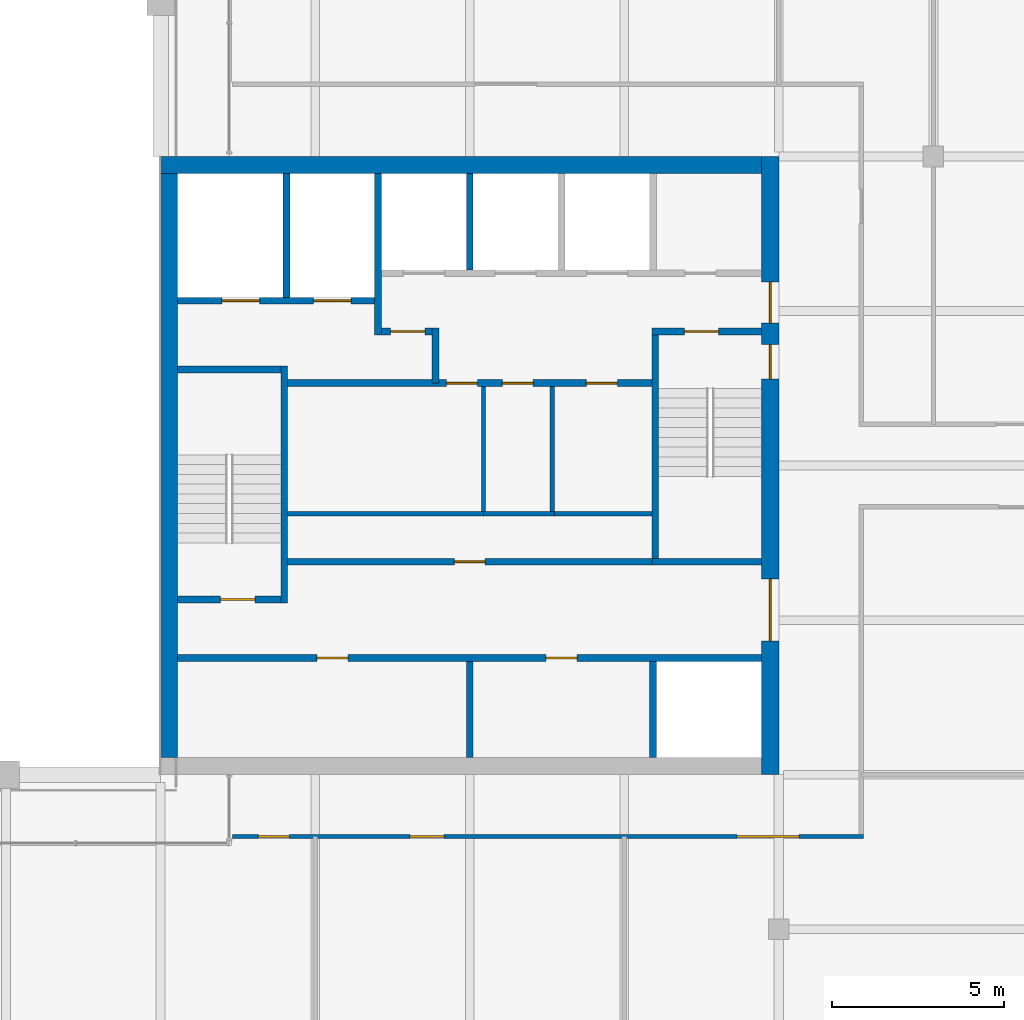
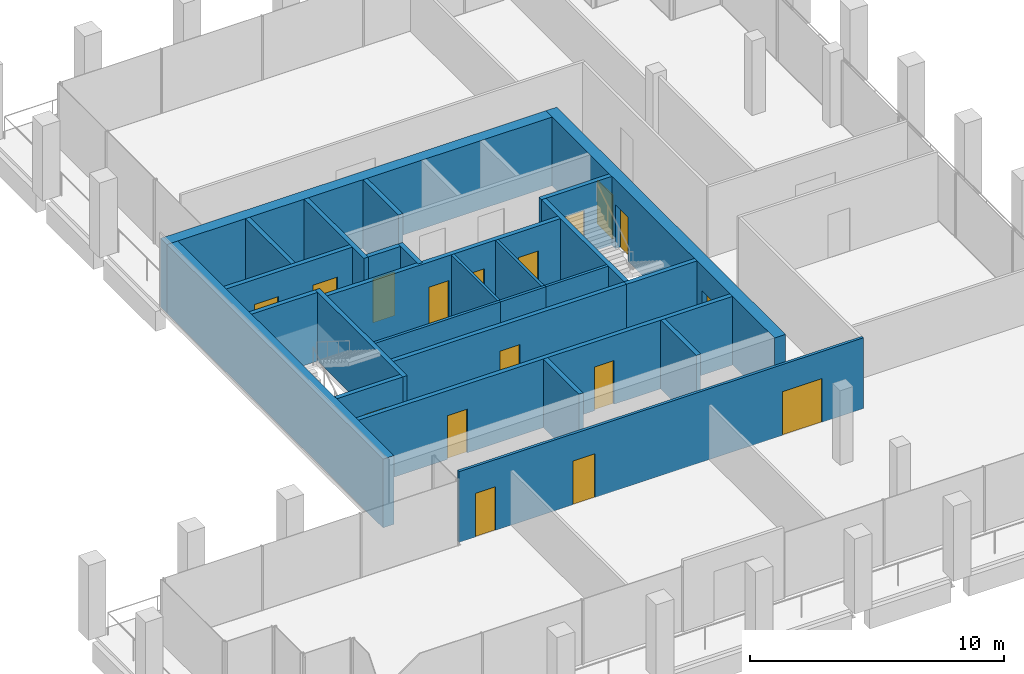
# One storey, part 28 of 30: 26 walls, 17 doors, 17 openings.
"""IFC4 building model written with IfcOpenShell, lengths in metres."""

from ifc_helpers import new_model, si_unit, direction, frame, frame_2d, origin, place, context, subcontext, project, spatial, rectangle, extrude, material, layer, layer_set, type_object, element, fill, save


model = new_model("IFC4")

# Units and contexts
model_context = context("Model", 3, precision=1e-05, world=origin(), true_north=direction((0.0, 1.0)))
body_context = subcontext(model_context, "Body", "Model", "MODEL_VIEW")
ifc_project = project(units=[si_unit("LENGTHUNIT", "METRE"), si_unit("AREAUNIT", "SQUARE_METRE"), si_unit("VOLUMEUNIT", "CUBIC_METRE"), si_unit("PLANEANGLEUNIT", "RADIAN"), si_unit("MASSUNIT", "GRAM", prefix="KILO")], contexts=[model_context])

# Site, building, storey
site_placement = place(None, origin())
site = spatial("IfcSite", under=ifc_project, at=site_placement, CompositionType="ELEMENT")
building_placement = place(site_placement, origin())
building = spatial("IfcBuilding", under=site, at=building_placement, Name="Altepetl Exchange Towers", CompositionType="ELEMENT")
storey_placement = place(building_placement, frame((0.0, 0.0, 242.39990234375)))
storey = spatial("IfcBuildingStorey", under=building, at=storey_placement, Name="L62", CompositionType="ELEMENT", Elevation=242.39990234375)

# Wall, openings, doors
ifc_material_1 = material(Name="Concrete C70/85", Category="concrete")
ifc_layer_1 = layer(ifc_material_1, 0.5)
ifc_layer_set_1 = layer_set([ifc_layer_1], Name="Concrete C70/85")
wall_type_1 = type_object("IfcWallType", Name="Core wall 500 reinforced concrete", PredefinedType="SHEAR", material=ifc_layer_set_1)
wall_1_placement = place(storey_placement, frame((58.25, 40.5, 0.0), z_axis=(0.0, 0.0, 1.0), x_axis=(0.0, 1.0, 0.0)))
wall_1 = element("IfcWall", 1, at=wall_1_placement, inside=storey, type_object=wall_type_1, Name="wall:A:L62:K-coreE", PredefinedType="SHEAR", context=body_context, shape_type="SweptSolid", body=[
    extrude(rectangle(XDim=18.0, YDim=0.5, at=frame_2d((9.0, 0.0))), origin(), (0.0, 0.0, 1.0), 3.300048828125),
])
opening_1_placement = place(wall_1_placement, frame((13.14990234375, 0.0, 0.0)))
opening_1 = element("IfcOpeningElement", 2, at=opening_1_placement, cuts=wall_1, Name="Opening L62.A60", PredefinedType="OPENING", context=body_context, shape_type="SweptSolid", body=[
    extrude(rectangle(XDim=1.199951171875, YDim=2.10009765625, at=frame_2d((0.60009765625, 1.050048828125))), frame((0.0, 0.260009765625, 0.0), z_axis=(0.0, -1.0, 0.0), x_axis=(1.0, 0.0, 0.0)), (0.0, 0.0, 1.0), 0.52001953125),
])
opening_2_placement = place(wall_1_placement, frame((3.89990234375, 0.0, 0.0)))
opening_2 = element("IfcOpeningElement", 3, at=opening_2_placement, cuts=wall_1, Name="Opening L62.A61", PredefinedType="OPENING", context=body_context, shape_type="SweptSolid", body=[
    extrude(rectangle(XDim=1.800048828125, YDim=2.10009765625, at=frame_2d((0.89990234375, 1.050048828125))), frame((0.0, 0.260009765625, 0.0), z_axis=(0.0, -1.0, 0.0), x_axis=(1.0, 0.0, 0.0)), (0.0, 0.0, 1.0), 0.52001953125),
])
opening_3_placement = place(wall_1_placement, frame((11.52490234375, 0.0, 0.0)))
opening_3 = element("IfcOpeningElement", 4, at=opening_3_placement, cuts=wall_1, Name="Opening L62.A64", PredefinedType="OPENING", context=body_context, shape_type="SweptSolid", body=[
    extrude(rectangle(XDim=1.0, YDim=2.10009765625, at=frame_2d((0.5, 1.050048828125))), frame((0.0, 0.260009765625, 0.0), z_axis=(0.0, -1.0, 0.0), x_axis=(1.0, 0.0, 0.0)), (0.0, 0.0, 1.0), 0.52001953125),
])
ifc_material_2 = material(Name="Steel and timber fire door", Category="steel")
door_type_1 = type_object("IfcDoorType", Name="Fire door 1000 x 2100 stair and lobby", OperationType="SINGLE_SWING_LEFT", PredefinedType="DOOR", material=ifc_material_2)
door_1_placement = place(opening_3_placement, origin())
door_1 = element("IfcDoor", 5, at=door_1_placement, inside=storey, type_object=door_type_1, Name="door:A:L62:K-dS2x", OperationType="SINGLE_SWING_RIGHT", OverallHeight=2.10009765625, OverallWidth=1.0, PredefinedType="DOOR", context=body_context, shape_type="SweptSolid", body=[
    extrude(rectangle(XDim=1.0, YDim=2.10009765625, at=frame_2d((0.5, 1.050048828125))), frame((0.0, 0.02490234375, 0.0), z_axis=(0.0, -1.0, 0.0), x_axis=(1.0, 0.0, 0.0)), (0.0, 0.0, 1.0), 0.050048828125),
])
fill(opening_3, door_1)
door_type_2 = type_object("IfcDoorType", Name="Fire door 1200 x 2100 lobby entry", OperationType="SINGLE_SWING_LEFT", PredefinedType="DOOR", material=ifc_material_2)
door_2_placement = place(opening_1_placement, origin())
door_2 = element("IfcDoor", 6, at=door_2_placement, inside=storey, type_object=door_type_2, Name="door:A:L62:K-dLNE", OperationType="SINGLE_SWING_RIGHT", OverallHeight=2.10009765625, OverallWidth=1.199951171875, PredefinedType="DOOR", context=body_context, shape_type="SweptSolid", body=[
    extrude(rectangle(XDim=1.199951171875, YDim=2.10009765625, at=frame_2d((0.60009765625, 1.050048828125))), frame((0.0, 0.02490234375, 0.0), z_axis=(0.0, -1.0, 0.0), x_axis=(1.0, 0.0, 0.0)), (0.0, 0.0, 1.0), 0.050048828125),
])
fill(opening_1, door_2)
door_type_3 = type_object("IfcDoorType", Name="Fire door 1800 x 2100 lobby entry", OperationType="DOUBLE_DOOR_SINGLE_SWING", PredefinedType="DOOR", material=ifc_material_2)
door_3_placement = place(opening_2_placement, origin())
door_3 = element("IfcDoor", 7, at=door_3_placement, inside=storey, type_object=door_type_3, Name="door:A:L62:K-dLSE", OperationType="DOUBLE_DOOR_SINGLE_SWING", OverallHeight=2.10009765625, OverallWidth=1.800048828125, PredefinedType="DOOR", context=body_context, shape_type="SweptSolid", body=[
    extrude(rectangle(XDim=1.800048828125, YDim=2.10009765625, at=frame_2d((0.89990234375, 1.050048828125))), frame((0.0, 0.02490234375, 0.0), z_axis=(0.0, -1.0, 0.0), x_axis=(1.0, 0.0, 0.0)), (0.0, 0.0, 1.0), 0.050048828125),
])
fill(opening_2, door_3)

# Walls
wall_2_placement = place(storey_placement, frame((40.5, 58.25, 0.0)))
element("IfcWall", 8, at=wall_2_placement, inside=storey, type_object=wall_type_1, Name="wall:A:L62:K-coreN", PredefinedType="SHEAR", context=body_context, shape_type="SweptSolid", body=[
    extrude(rectangle(XDim=17.5, YDim=0.5, at=frame_2d((8.75, 0.0))), origin(), (0.0, 0.0, 1.0), 3.300048828125),
])
ifc_layer_2 = layer(ifc_material_1, 0.5)
ifc_layer_set_2 = layer_set([ifc_layer_2], Name="Concrete C70/85")
wall_type_2 = type_object("IfcWallType", Name="Core wall 500 reinforced concrete external", PredefinedType="SHEAR", material=ifc_layer_set_2)
wall_3_placement = place(storey_placement, frame((40.75, 41.0, 0.0), z_axis=(0.0, 0.0, 1.0), x_axis=(0.0, 1.0, 0.0)))
element("IfcWall", 9, at=wall_3_placement, inside=storey, type_object=wall_type_2, Name="wall:A:L62:K-coreW", PredefinedType="SHEAR", context=body_context, shape_type="SweptSolid", body=[
    extrude(rectangle(XDim=17.0, YDim=0.5, at=frame_2d((8.5, 0.0))), origin(), (0.0, 0.0, 1.0), 3.300048828125),
])
ifc_material_3 = material(Name="Concrete blockwork", Category="masonry")
ifc_layer_3 = layer(ifc_material_3, 0.199951171875)
ifc_layer_set_3 = layer_set([ifc_layer_3], Name="Concrete blockwork")
wall_type_3 = type_object("IfcWallType", Name="Lobby wall 200 blockwork", PredefinedType="PARTITIONING", material=ifc_layer_set_3)
wall_4_placement = place(storey_placement, frame((48.5, 51.89990234375, 0.0), z_axis=(0.0, 0.0, 1.0), x_axis=(0.0, 1.0, 0.0)))
element("IfcWall", 10, at=wall_4_placement, inside=storey, type_object=wall_type_3, Name="wall:A:L62:K-ffE", PredefinedType="PARTITIONING", context=body_context, shape_type="SweptSolid", body=[
    extrude(rectangle(XDim=1.60009765625, YDim=0.199951171875, at=frame_2d((0.800048828125, 0.0))), origin(), (0.0, 0.0, 1.0), 3.300048828125),
])

# Wall, opening, door
wall_5_placement = place(storey_placement, frame((46.933349609375, 53.39990234375, 0.0)))
wall_5 = element("IfcWall", 11, at=wall_5_placement, inside=storey, type_object=wall_type_3, Name="wall:A:L62:K-ffN", PredefinedType="PARTITIONING", context=body_context, shape_type="SweptSolid", body=[
    extrude(rectangle(XDim=1.466552734375, YDim=0.199951171875, at=frame_2d((0.7333984375, 0.0))), origin(), (0.0, 0.0, 1.0), 3.300048828125),
])
opening_4_placement = place(wall_5_placement, frame((0.2666015625, 0.0, 0.0)))
opening_4 = element("IfcOpeningElement", 12, at=opening_4_placement, cuts=wall_5, Name="Opening L62.A65", PredefinedType="OPENING", context=body_context, shape_type="SweptSolid", body=[
    extrude(rectangle(XDim=1.0, YDim=2.10009765625, at=frame_2d((0.5, 1.050048828125))), frame((0.0, 0.10986328125, 0.0), z_axis=(0.0, -1.0, 0.0), x_axis=(1.0, 0.0, 0.0)), (0.0, 0.0, 1.0), 0.219970703125),
])
door_4_placement = place(opening_4_placement, frame((1.0, 0.0, 0.0), x_axis=(-1.0, 0.0, 0.0)))
door_4 = element("IfcDoor", 13, at=door_4_placement, inside=storey, type_object=door_type_1, Name="door:A:L62:K-dffN", OperationType="SINGLE_SWING_RIGHT", OverallHeight=2.10009765625, OverallWidth=1.0, PredefinedType="DOOR", context=body_context, shape_type="SweptSolid", body=[
    extrude(rectangle(XDim=1.0, YDim=2.10009765625, at=frame_2d((0.5, 1.050048828125))), frame((0.0, 0.02490234375, 0.0), z_axis=(0.0, -1.0, 0.0), x_axis=(1.0, 0.0, 0.0)), (0.0, 0.0, 1.0), 0.050048828125),
])
fill(opening_4, door_4)

# Wall, openings, doors
wall_6_placement = place(storey_placement, frame((44.199951171875, 51.89990234375, 0.0)))
wall_6 = element("IfcWall", 14, at=wall_6_placement, inside=storey, type_object=wall_type_3, Name="wall:A:L62:K-zoneN", PredefinedType="PARTITIONING", context=body_context, shape_type="SweptSolid", body=[
    extrude(rectangle(XDim=10.60009765625, YDim=0.199951171875, at=frame_2d((5.300048828125, 0.0))), origin(), (0.0, 0.0, 1.0), 3.300048828125),
])
opening_5_placement = place(wall_6_placement, frame((4.625, 0.0, 0.0)))
opening_5 = element("IfcOpeningElement", 15, at=opening_5_placement, cuts=wall_6, Name="Opening L62.A70", PredefinedType="OPENING", context=body_context, shape_type="SweptSolid", body=[
    extrude(rectangle(XDim=0.89990234375, YDim=2.10009765625, at=frame_2d((0.449951171875, 1.050048828125))), frame((0.0, 0.10986328125, 0.0), z_axis=(0.0, -1.0, 0.0), x_axis=(1.0, 0.0, 0.0)), (0.0, 0.0, 1.0), 0.219970703125),
])
opening_6_placement = place(wall_6_placement, frame((6.25, 0.0, 0.0)))
opening_6 = element("IfcOpeningElement", 16, at=opening_6_placement, cuts=wall_6, Name="Opening L62.A71", PredefinedType="OPENING", context=body_context, shape_type="SweptSolid", body=[
    extrude(rectangle(XDim=0.89990234375, YDim=2.10009765625, at=frame_2d((0.449951171875, 1.050048828125))), frame((0.0, 0.10986328125, 0.0), z_axis=(0.0, -1.0, 0.0), x_axis=(1.0, 0.0, 0.0)), (0.0, 0.0, 1.0), 0.219970703125),
])
opening_7_placement = place(wall_6_placement, frame((8.699951171875, 0.0, 0.0)))
opening_7 = element("IfcOpeningElement", 17, at=opening_7_placement, cuts=wall_6, Name="Opening L62.A72", PredefinedType="OPENING", context=body_context, shape_type="SweptSolid", body=[
    extrude(rectangle(XDim=0.89990234375, YDim=2.10009765625, at=frame_2d((0.449951171875, 1.050048828125))), frame((0.0, 0.10986328125, 0.0), z_axis=(0.0, -1.0, 0.0), x_axis=(1.0, 0.0, 0.0)), (0.0, 0.0, 1.0), 0.219970703125),
])
door_type_4 = type_object("IfcDoorType", Name="Fire door 900 x 2100 service room", OperationType="SINGLE_SWING_LEFT", PredefinedType="DOOR", material=ifc_material_2)
door_5_placement = place(opening_5_placement, frame((0.89990234375, 0.0, 0.0), x_axis=(-1.0, 0.0, 0.0)))
door_5 = element("IfcDoor", 18, at=door_5_placement, inside=storey, type_object=door_type_4, Name="door:A:L62:K-dz2", OperationType="SINGLE_SWING_RIGHT", OverallHeight=2.10009765625, OverallWidth=0.89990234375, PredefinedType="DOOR", context=body_context, shape_type="SweptSolid", body=[
    extrude(rectangle(XDim=0.89990234375, YDim=2.10009765625, at=frame_2d((0.449951171875, 1.050048828125))), frame((0.0, 0.02490234375, 0.0), z_axis=(0.0, -1.0, 0.0), x_axis=(1.0, 0.0, 0.0)), (0.0, 0.0, 1.0), 0.050048828125),
])
fill(opening_5, door_5)
door_6_placement = place(opening_6_placement, frame((0.89990234375, 0.0, 0.0), x_axis=(-1.0, 0.0, 0.0)))
door_6 = element("IfcDoor", 19, at=door_6_placement, inside=storey, type_object=door_type_4, Name="door:A:L62:K-dz3", OperationType="SINGLE_SWING_LEFT", OverallHeight=2.10009765625, OverallWidth=0.89990234375, PredefinedType="DOOR", context=body_context, shape_type="SweptSolid", body=[
    extrude(rectangle(XDim=0.89990234375, YDim=2.10009765625, at=frame_2d((0.449951171875, 1.050048828125))), frame((0.0, 0.02490234375, 0.0), z_axis=(0.0, -1.0, 0.0), x_axis=(1.0, 0.0, 0.0)), (0.0, 0.0, 1.0), 0.050048828125),
])
fill(opening_6, door_6)
door_7_placement = place(opening_7_placement, frame((0.89990234375, 0.0, 0.0), x_axis=(-1.0, 0.0, 0.0)))
door_7 = element("IfcDoor", 20, at=door_7_placement, inside=storey, type_object=door_type_4, Name="door:A:L62:K-dz4", OperationType="SINGLE_SWING_LEFT", OverallHeight=2.10009765625, OverallWidth=0.89990234375, PredefinedType="DOOR", context=body_context, shape_type="SweptSolid", body=[
    extrude(rectangle(XDim=0.89990234375, YDim=2.10009765625, at=frame_2d((0.449951171875, 1.050048828125))), frame((0.0, 0.02490234375, 0.0), z_axis=(0.0, -1.0, 0.0), x_axis=(1.0, 0.0, 0.0)), (0.0, 0.0, 1.0), 0.050048828125),
])
fill(opening_7, door_7)

# Wall, opening, door
wall_7_placement = place(storey_placement, frame((44.199951171875, 46.699951171875, 0.0)))
wall_7 = element("IfcWall", 21, at=wall_7_placement, inside=storey, type_object=wall_type_3, Name="wall:A:L62:K-zoneS", PredefinedType="PARTITIONING", context=body_context, shape_type="SweptSolid", body=[
    extrude(rectangle(XDim=10.60009765625, YDim=0.199951171875, at=frame_2d((5.300048828125, 0.0))), origin(), (0.0, 0.0, 1.0), 3.300048828125),
])
opening_8_placement = place(wall_7_placement, frame((4.85009765625, 0.0, 0.0)))
opening_8 = element("IfcOpeningElement", 22, at=opening_8_placement, cuts=wall_7, Name="Opening L62.A69", PredefinedType="OPENING", context=body_context, shape_type="SweptSolid", body=[
    extrude(rectangle(XDim=0.89990234375, YDim=2.10009765625, at=frame_2d((0.449951171875, 1.050048828125))), frame((0.0, 0.10986328125, 0.0), z_axis=(0.0, -1.0, 0.0), x_axis=(1.0, 0.0, 0.0)), (0.0, 0.0, 1.0), 0.219970703125),
])
door_8_placement = place(opening_8_placement, origin())
door_8 = element("IfcDoor", 23, at=door_8_placement, inside=storey, type_object=door_type_4, Name="door:A:L62:K-dz1", OperationType="SINGLE_SWING_LEFT", OverallHeight=2.10009765625, OverallWidth=0.89990234375, PredefinedType="DOOR", context=body_context, shape_type="SweptSolid", body=[
    extrude(rectangle(XDim=0.89990234375, YDim=2.10009765625, at=frame_2d((0.449951171875, 1.050048828125))), frame((0.0, 0.02490234375, 0.0), z_axis=(0.0, -1.0, 0.0), x_axis=(1.0, 0.0, 0.0)), (0.0, 0.0, 1.0), 0.050048828125),
])
fill(opening_8, door_8)

# Walls
ifc_material_4 = material(Name="Gypsum board on steel studs", Category="steel")
ifc_layer_4 = layer(ifc_material_4, 0.125)
ifc_layer_set_4 = layer_set([ifc_layer_4], Name="Gypsum board on steel studs")
wall_type_4 = type_object("IfcWallType", Name="Partition 125 gypsum board on steel studs", PredefinedType="PARTITIONING", material=ifc_layer_set_4)
wall_8_placement = place(storey_placement, frame((49.96240234375, 48.10009765625, 0.0), z_axis=(0.0, 0.0, 1.0), x_axis=(-1.0, 0.0, 0.0)))
element("IfcWall", 24, at=wall_8_placement, inside=storey, type_object=wall_type_4, Name="wall:A:L62:K-zp1", PredefinedType="PARTITIONING", context=body_context, shape_type="SweptSolid", body=[
    extrude(rectangle(XDim=5.762451171875, YDim=0.125, at=frame_2d((2.88134765625, 0.0))), origin(), (0.0, 0.0, 1.0), 3.300048828125),
])
wall_9_placement = place(storey_placement, frame((51.96240234375, 48.10009765625, 0.0), z_axis=(0.0, 0.0, 1.0), x_axis=(-1.0, 0.0, 0.0)))
element("IfcWall", 25, at=wall_9_placement, inside=storey, type_object=wall_type_4, Name="wall:A:L62:K-zp2", PredefinedType="PARTITIONING", context=body_context, shape_type="SweptSolid", body=[
    extrude(rectangle(XDim=2.0625, YDim=0.125, at=frame_2d((1.03125, 0.0))), origin(), (0.0, 0.0, 1.0), 3.300048828125),
])
wall_10_placement = place(storey_placement, frame((49.89990234375, 48.16259765625, 0.0), z_axis=(0.0, 0.0, 1.0), x_axis=(0.0, 1.0, 0.0)))
element("IfcWall", 26, at=wall_10_placement, inside=storey, type_object=wall_type_4, Name="wall:A:L62:K-zp3", PredefinedType="PARTITIONING", context=body_context, shape_type="SweptSolid", body=[
    extrude(rectangle(XDim=3.637451171875, YDim=0.125, at=frame_2d((1.81884765625, 0.0))), origin(), (0.0, 0.0, 1.0), 3.300048828125),
])
wall_11_placement = place(storey_placement, frame((54.800048828125, 48.10009765625, 0.0), z_axis=(0.0, 0.0, 1.0), x_axis=(-1.0, 0.0, 0.0)))
element("IfcWall", 27, at=wall_11_placement, inside=storey, type_object=wall_type_4, Name="wall:A:L62:K-zp4", PredefinedType="PARTITIONING", context=body_context, shape_type="SweptSolid", body=[
    extrude(rectangle(XDim=2.900146484375, YDim=0.125, at=frame_2d((1.4501953125, 0.0))), origin(), (0.0, 0.0, 1.0), 3.300048828125),
])
wall_12_placement = place(storey_placement, frame((51.89990234375, 48.16259765625, 0.0), z_axis=(0.0, 0.0, 1.0), x_axis=(0.0, 1.0, 0.0)))
element("IfcWall", 28, at=wall_12_placement, inside=storey, type_object=wall_type_4, Name="wall:A:L62:K-zp5", PredefinedType="PARTITIONING", context=body_context, shape_type="SweptSolid", body=[
    extrude(rectangle(XDim=3.637451171875, YDim=0.125, at=frame_2d((1.81884765625, 0.0))), origin(), (0.0, 0.0, 1.0), 3.300048828125),
])

# Wall, openings, doors
wall_13_placement = place(storey_placement, frame((42.60009765625, 38.699951171875, 0.0)))
wall_13 = element("IfcWall", 29, at=wall_13_placement, inside=storey, type_object=wall_type_4, Name="wall:A:L62:P01", PredefinedType="PARTITIONING", context=body_context, shape_type="SweptSolid", body=[
    extrude(rectangle(XDim=18.3623046875, YDim=0.125, at=frame_2d((9.18115234375, 0.0))), origin(), (0.0, 0.0, 1.0), 3.400146484375),
])
opening_9_placement = place(wall_13_placement, frame((0.75, 0.0, 0.0)))
opening_9 = element("IfcOpeningElement", 30, at=opening_9_placement, cuts=wall_13, Name="Opening L62.A01", PredefinedType="OPENING", context=body_context, shape_type="SweptSolid", body=[
    extrude(rectangle(XDim=0.89990234375, YDim=2.10009765625, at=frame_2d((0.449951171875, 1.050048828125))), frame((0.0, 0.072509765625, 0.0), z_axis=(0.0, -1.0, 0.0), x_axis=(1.0, 0.0, 0.0)), (0.0, 0.0, 1.0), 0.14501953125),
])
opening_10_placement = place(wall_13_placement, frame((5.157958984375, 0.0, 0.0)))
opening_10 = element("IfcOpeningElement", 31, at=opening_10_placement, cuts=wall_13, Name="Opening L62.A02", PredefinedType="OPENING", context=body_context, shape_type="SweptSolid", body=[
    extrude(rectangle(XDim=1.0, YDim=2.10009765625, at=frame_2d((0.5, 1.050048828125))), frame((0.0, 0.072509765625, 0.0), z_axis=(0.0, -1.0, 0.0), x_axis=(1.0, 0.0, 0.0)), (0.0, 0.0, 1.0), 0.14501953125),
])
opening_11_placement = place(wall_13_placement, frame((14.68505859375, 0.0, 0.0)))
opening_11 = element("IfcOpeningElement", 32, at=opening_11_placement, cuts=wall_13, Name="Opening L62.A03", PredefinedType="OPENING", context=body_context, shape_type="SweptSolid", body=[
    extrude(rectangle(XDim=1.800048828125, YDim=2.10009765625, at=frame_2d((0.89990234375, 1.050048828125))), frame((0.0, 0.072509765625, 0.0), z_axis=(0.0, -1.0, 0.0), x_axis=(1.0, 0.0, 0.0)), (0.0, 0.0, 1.0), 0.14501953125),
])
door_type_5 = type_object("IfcDoorType", Name="Fire door 1000 x 2100 single leaf", OperationType="SINGLE_SWING_LEFT", PredefinedType="DOOR", material=ifc_material_2)
door_9_placement = place(opening_10_placement, frame((1.0, 0.0, 0.0), x_axis=(-1.0, 0.0, 0.0)))
door_9 = element("IfcDoor", 33, at=door_9_placement, inside=storey, type_object=door_type_5, Name="door:A:L62:02", OperationType="SINGLE_SWING_RIGHT", OverallHeight=2.10009765625, OverallWidth=1.0, PredefinedType="DOOR", context=body_context, shape_type="SweptSolid", body=[
    extrude(rectangle(XDim=1.0, YDim=2.10009765625, at=frame_2d((0.5, 1.050048828125))), frame((0.0, 0.02490234375, 0.0), z_axis=(0.0, -1.0, 0.0), x_axis=(1.0, 0.0, 0.0)), (0.0, 0.0, 1.0), 0.050048828125),
])
fill(opening_10, door_9)
door_type_6 = type_object("IfcDoorType", Name="Fire door 1800 x 2100 double leaf", OperationType="DOUBLE_DOOR_SINGLE_SWING", PredefinedType="DOOR", material=ifc_material_2)
door_10_placement = place(opening_11_placement, frame((1.800048828125, 0.0, 0.0), x_axis=(-1.0, 0.0, 0.0)))
door_10 = element("IfcDoor", 34, at=door_10_placement, inside=storey, type_object=door_type_6, Name="door:A:L62:03", OperationType="DOUBLE_DOOR_SINGLE_SWING", OverallHeight=2.10009765625, OverallWidth=1.800048828125, PredefinedType="DOOR", context=body_context, shape_type="SweptSolid", body=[
    extrude(rectangle(XDim=1.800048828125, YDim=2.10009765625, at=frame_2d((0.89990234375, 1.050048828125))), frame((0.0, 0.02490234375, 0.0), z_axis=(0.0, -1.0, 0.0), x_axis=(1.0, 0.0, 0.0)), (0.0, 0.0, 1.0), 0.050048828125),
])
fill(opening_11, door_10)
door_type_7 = type_object("IfcDoorType", Name="Fire door 900 x 2100 single leaf", OperationType="SINGLE_SWING_LEFT", PredefinedType="DOOR", material=ifc_material_2)
door_11_placement = place(opening_9_placement, frame((0.89990234375, 0.0, 0.0), x_axis=(-1.0, 0.0, 0.0)))
door_11 = element("IfcDoor", 35, at=door_11_placement, inside=storey, type_object=door_type_7, Name="door:A:L62:01", OperationType="SINGLE_SWING_RIGHT", OverallHeight=2.10009765625, OverallWidth=0.89990234375, PredefinedType="DOOR", context=body_context, shape_type="SweptSolid", body=[
    extrude(rectangle(XDim=0.89990234375, YDim=2.10009765625, at=frame_2d((0.449951171875, 1.050048828125))), frame((0.0, 0.02490234375, 0.0), z_axis=(0.0, -1.0, 0.0), x_axis=(1.0, 0.0, 0.0)), (0.0, 0.0, 1.0), 0.050048828125),
])
fill(opening_9, door_11)

# Walls
ifc_material_5 = material(Name="Concrete C40/50", Category="concrete")
ifc_layer_5 = layer(ifc_material_5, 0.199951171875)
ifc_layer_set_5 = layer_set([ifc_layer_5], Name="Concrete C40/50")
wall_type_5 = type_object("IfcWallType", Name="Shaft wall 200 reinforced concrete", PredefinedType="SHEAR", material=ifc_layer_set_5)
wall_14_placement = place(storey_placement, frame((44.166748046875, 58.0, 0.0), z_axis=(0.0, 0.0, 1.0), x_axis=(0.0, -1.0, 0.0)))
element("IfcWall", 36, at=wall_14_placement, inside=storey, type_object=wall_type_5, Name="wall:A:L62:K-divN1", PredefinedType="SHEAR", context=body_context, shape_type="SweptSolid", body=[
    extrude(rectangle(XDim=3.60009765625, YDim=0.199951171875, at=frame_2d((1.800048828125, 0.0))), origin(), (0.0, 0.0, 1.0), 3.300048828125),
])
wall_15_placement = place(storey_placement, frame((46.833251953125, 58.0, 0.0), z_axis=(0.0, 0.0, 1.0), x_axis=(0.0, -1.0, 0.0)))
element("IfcWall", 37, at=wall_15_placement, inside=storey, type_object=wall_type_5, Name="wall:A:L62:K-divN2", PredefinedType="SHEAR", context=body_context, shape_type="SweptSolid", body=[
    extrude(rectangle(XDim=4.699951171875, YDim=0.199951171875, at=frame_2d((2.35009765625, 0.0))), origin(), (0.0, 0.0, 1.0), 3.300048828125),
])
for number, where, z_axis, x_axis, name in (
    (38, (49.5, 58.0, 0.0), (0.0, 0.0, 1.0), (0.0, -1.0, 0.0), "wall:A:L62:K-divN3"),
    (39, (54.833251953125, 41.0, 0.0), (0.0, 0.0, 1.0), (0.0, 1.0, 0.0), "wall:A:L62:K-divS5"),
):
    element("IfcWall", number, at=place(storey_placement, frame(where, z_axis=z_axis, x_axis=x_axis)), inside=storey, type_object=wall_type_5, Name=name, PredefinedType="SHEAR", context=body_context, shape_type="SweptSolid", body=[
        extrude(rectangle(XDim=2.800048828125, YDim=0.199951171875, at=frame_2d((1.39990234375, 0.0))), origin(), (0.0, 0.0, 1.0), 3.300048828125),
    ])

# Wall, openings, doors
wall_16_placement = place(storey_placement, frame((41.0, 54.300048828125, 0.0)))
wall_16 = element("IfcWall", 40, at=wall_16_placement, inside=storey, type_object=wall_type_5, Name="wall:A:L62:K-frontNd", PredefinedType="SHEAR", context=body_context, shape_type="SweptSolid", body=[
    extrude(rectangle(XDim=5.7333984375, YDim=0.199951171875, at=frame_2d((2.86669921875, 0.0))), origin(), (0.0, 0.0, 1.0), 3.300048828125),
])
opening_12_placement = place(wall_16_placement, frame((1.283203125, 0.0, 0.0)))
opening_12 = element("IfcOpeningElement", 41, at=opening_12_placement, cuts=wall_16, Name="Opening L62.A73", PredefinedType="OPENING", context=body_context, shape_type="SweptSolid", body=[
    extrude(rectangle(XDim=1.10009765625, YDim=2.10009765625, at=frame_2d((0.550048828125, 1.050048828125))), frame((0.0, 0.10986328125, 0.0), z_axis=(0.0, -1.0, 0.0), x_axis=(1.0, 0.0, 0.0)), (0.0, 0.0, 1.0), 0.219970703125),
])
opening_13_placement = place(wall_16_placement, frame((3.949951171875, 0.0, 0.0)))
opening_13 = element("IfcOpeningElement", 42, at=opening_13_placement, cuts=wall_16, Name="Opening L62.A74", PredefinedType="OPENING", context=body_context, shape_type="SweptSolid", body=[
    extrude(rectangle(XDim=1.10009765625, YDim=2.10009765625, at=frame_2d((0.550048828125, 1.050048828125))), frame((0.0, 0.10986328125, 0.0), z_axis=(0.0, -1.0, 0.0), x_axis=(1.0, 0.0, 0.0)), (0.0, 0.0, 1.0), 0.219970703125),
])
ifc_material_6 = material(Name="Stainless steel", Category="steel")
door_type_8 = type_object("IfcDoorType", Name="Lift landing door 1100 x 2100", OperationType="SLIDING_TO_LEFT", PredefinedType="DOOR", material=ifc_material_6)
door_12_placement = place(opening_12_placement, origin())
door_12 = element("IfcDoor", 43, at=door_12_placement, inside=storey, type_object=door_type_8, Name="Landing door FFL1", OperationType="SLIDING_TO_LEFT", OverallHeight=2.10009765625, OverallWidth=1.10009765625, PredefinedType="DOOR", context=body_context, shape_type="SweptSolid", body=[
    extrude(rectangle(XDim=1.10009765625, YDim=2.10009765625, at=frame_2d((0.550048828125, 1.050048828125))), frame((0.0, 0.02490234375, 0.0), z_axis=(0.0, -1.0, 0.0), x_axis=(1.0, 0.0, 0.0)), (0.0, 0.0, 1.0), 0.050048828125),
])
fill(opening_12, door_12)
door_13_placement = place(opening_13_placement, origin())
door_13 = element("IfcDoor", 44, at=door_13_placement, inside=storey, type_object=door_type_8, Name="Landing door FFL2", OperationType="SLIDING_TO_LEFT", OverallHeight=2.10009765625, OverallWidth=1.10009765625, PredefinedType="DOOR", context=body_context, shape_type="SweptSolid", body=[
    extrude(rectangle(XDim=1.10009765625, YDim=2.10009765625, at=frame_2d((0.550048828125, 1.050048828125))), frame((0.0, 0.02490234375, 0.0), z_axis=(0.0, -1.0, 0.0), x_axis=(1.0, 0.0, 0.0)), (0.0, 0.0, 1.0), 0.050048828125),
])
fill(opening_13, door_13)

wall_17_placement = place(storey_placement, frame((41.0, 43.89990234375, 0.0)))
wall_17 = element("IfcWall", 45, at=wall_17_placement, inside=storey, type_object=wall_type_5, Name="wall:A:L62:K-frontS", PredefinedType="SHEAR", context=body_context, shape_type="SweptSolid", body=[
    extrude(rectangle(XDim=17.0, YDim=0.199951171875, at=frame_2d((8.5, 0.0))), origin(), (0.0, 0.0, 1.0), 3.300048828125),
])
opening_14_placement = place(wall_17_placement, frame((4.050048828125, 0.0, 0.0)))
opening_14 = element("IfcOpeningElement", 46, at=opening_14_placement, cuts=wall_17, Name="Opening L62.A67", PredefinedType="OPENING", context=body_context, shape_type="SweptSolid", body=[
    extrude(rectangle(XDim=0.89990234375, YDim=2.10009765625, at=frame_2d((0.449951171875, 1.050048828125))), frame((0.0, 0.10986328125, 0.0), z_axis=(0.0, -1.0, 0.0), x_axis=(1.0, 0.0, 0.0)), (0.0, 0.0, 1.0), 0.219970703125),
])
opening_15_placement = place(wall_17_placement, frame((10.716796875, 0.0, 0.0)))
opening_15 = element("IfcOpeningElement", 47, at=opening_15_placement, cuts=wall_17, Name="Opening L62.A68", PredefinedType="OPENING", context=body_context, shape_type="SweptSolid", body=[
    extrude(rectangle(XDim=0.89990234375, YDim=2.10009765625, at=frame_2d((0.449951171875, 1.050048828125))), frame((0.0, 0.10986328125, 0.0), z_axis=(0.0, -1.0, 0.0), x_axis=(1.0, 0.0, 0.0)), (0.0, 0.0, 1.0), 0.219970703125),
])
door_14_placement = place(opening_14_placement, frame((0.89990234375, 0.0, 0.0), x_axis=(-1.0, 0.0, 0.0)))
door_14 = element("IfcDoor", 48, at=door_14_placement, inside=storey, type_object=door_type_4, Name="door:A:L62:K-dslotS0", OperationType="SINGLE_SWING_LEFT", OverallHeight=2.10009765625, OverallWidth=0.89990234375, PredefinedType="DOOR", context=body_context, shape_type="SweptSolid", body=[
    extrude(rectangle(XDim=0.89990234375, YDim=2.10009765625, at=frame_2d((0.449951171875, 1.050048828125))), frame((0.0, 0.02490234375, 0.0), z_axis=(0.0, -1.0, 0.0), x_axis=(1.0, 0.0, 0.0)), (0.0, 0.0, 1.0), 0.050048828125),
])
fill(opening_14, door_14)
door_15_placement = place(opening_15_placement, frame((0.89990234375, 0.0, 0.0), x_axis=(-1.0, 0.0, 0.0)))
door_15 = element("IfcDoor", 49, at=door_15_placement, inside=storey, type_object=door_type_4, Name="door:A:L62:K-dslotS3", OperationType="SINGLE_SWING_LEFT", OverallHeight=2.10009765625, OverallWidth=0.89990234375, PredefinedType="DOOR", context=body_context, shape_type="SweptSolid", body=[
    extrude(rectangle(XDim=0.89990234375, YDim=2.10009765625, at=frame_2d((0.449951171875, 1.050048828125))), frame((0.0, 0.02490234375, 0.0), z_axis=(0.0, -1.0, 0.0), x_axis=(1.0, 0.0, 0.0)), (0.0, 0.0, 1.0), 0.050048828125),
])
fill(opening_15, door_15)

# Walls
ifc_layer_6 = layer(ifc_material_1, 0.199951171875)
ifc_layer_set_6 = layer_set([ifc_layer_6], Name="Concrete C70/85")
wall_type_6 = type_object("IfcWallType", Name="Shear wall 200 reinforced concrete", PredefinedType="SHEAR", material=ifc_layer_set_6)
wall_18_placement = place(storey_placement, frame((49.5, 41.0, 0.0), z_axis=(0.0, 0.0, 1.0), x_axis=(0.0, 1.0, 0.0)))
element("IfcWall", 50, at=wall_18_placement, inside=storey, type_object=wall_type_6, Name="wall:A:L62:K-divS3", PredefinedType="SHEAR", context=body_context, shape_type="SweptSolid", body=[
    extrude(rectangle(XDim=2.800048828125, YDim=0.199951171875, at=frame_2d((1.39990234375, 0.0))), origin(), (0.0, 0.0, 1.0), 3.300048828125),
])
ifc_layer_7 = layer(ifc_material_5, 0.199951171875)
ifc_layer_set_7 = layer_set([ifc_layer_7], Name="Concrete C40/50")
wall_type_7 = type_object("IfcWallType", Name="Stair wall 200 reinforced concrete", PredefinedType="SHEAR", material=ifc_layer_set_7)
wall_19_placement = place(storey_placement, frame((44.10009765625, 45.5, 0.0), z_axis=(0.0, 0.0, 1.0), x_axis=(0.0, 1.0, 0.0)))
element("IfcWall", 51, at=wall_19_placement, inside=storey, type_object=wall_type_7, Name="wall:A:L62:K-stS1E", PredefinedType="SHEAR", context=body_context, shape_type="SweptSolid", body=[
    extrude(rectangle(XDim=6.89990234375, YDim=0.199951171875, at=frame_2d((3.449951171875, 0.0))), origin(), (0.0, 0.0, 1.0), 3.300048828125),
])
wall_20_placement = place(storey_placement, frame((41.0, 52.300048828125, 0.0)))
element("IfcWall", 52, at=wall_20_placement, inside=storey, type_object=wall_type_7, Name="wall:A:L62:K-stS1N", PredefinedType="SHEAR", context=body_context, shape_type="SweptSolid", body=[
    extrude(rectangle(XDim=3.0, YDim=0.199951171875, at=frame_2d((1.5, 0.0))), origin(), (0.0, 0.0, 1.0), 3.300048828125),
])

# Wall, opening, door
wall_21_placement = place(storey_placement, frame((41.0, 45.60009765625, 0.0)))
wall_21 = element("IfcWall", 53, at=wall_21_placement, inside=storey, type_object=wall_type_7, Name="wall:A:L62:K-stS1S", PredefinedType="SHEAR", context=body_context, shape_type="SweptSolid", body=[
    extrude(rectangle(XDim=3.0, YDim=0.199951171875, at=frame_2d((1.5, 0.0))), origin(), (0.0, 0.0, 1.0), 3.300048828125),
])
opening_16_placement = place(wall_21_placement, frame((1.25, 0.0, 0.0)))
opening_16 = element("IfcOpeningElement", 54, at=opening_16_placement, cuts=wall_21, Name="Opening L62.A62", PredefinedType="OPENING", context=body_context, shape_type="SweptSolid", body=[
    extrude(rectangle(XDim=1.0, YDim=2.10009765625, at=frame_2d((0.5, 1.050048828125))), frame((0.0, 0.10986328125, 0.0), z_axis=(0.0, -1.0, 0.0), x_axis=(1.0, 0.0, 0.0)), (0.0, 0.0, 1.0), 0.219970703125),
])
door_16_placement = place(opening_16_placement, origin())
door_16 = element("IfcDoor", 55, at=door_16_placement, inside=storey, type_object=door_type_1, Name="door:A:L62:K-dS1in", OperationType="SINGLE_SWING_RIGHT", OverallHeight=2.10009765625, OverallWidth=1.0, PredefinedType="DOOR", context=body_context, shape_type="SweptSolid", body=[
    extrude(rectangle(XDim=1.0, YDim=2.10009765625, at=frame_2d((0.5, 1.050048828125))), frame((0.0, 0.02490234375, 0.0), z_axis=(0.0, -1.0, 0.0), x_axis=(1.0, 0.0, 0.0)), (0.0, 0.0, 1.0), 0.050048828125),
])
fill(opening_16, door_16)

wall_22_placement = place(storey_placement, frame((54.800048828125, 53.39990234375, 0.0)))
wall_22 = element("IfcWall", 56, at=wall_22_placement, inside=storey, type_object=wall_type_7, Name="wall:A:L62:K-stS2N", PredefinedType="SHEAR", context=body_context, shape_type="SweptSolid", body=[
    extrude(rectangle(XDim=3.199951171875, YDim=0.199951171875, at=frame_2d((1.60009765625, 0.0))), origin(), (0.0, 0.0, 1.0), 3.300048828125),
])
opening_17_placement = place(wall_22_placement, frame((0.949951171875, 0.0, 0.0)))
opening_17 = element("IfcOpeningElement", 57, at=opening_17_placement, cuts=wall_22, Name="Opening L62.A63", PredefinedType="OPENING", context=body_context, shape_type="SweptSolid", body=[
    extrude(rectangle(XDim=1.0, YDim=2.10009765625, at=frame_2d((0.5, 1.050048828125))), frame((0.0, 0.10986328125, 0.0), z_axis=(0.0, -1.0, 0.0), x_axis=(1.0, 0.0, 0.0)), (0.0, 0.0, 1.0), 0.219970703125),
])
door_17_placement = place(opening_17_placement, frame((1.0, 0.0, 0.0), x_axis=(-1.0, 0.0, 0.0)))
door_17 = element("IfcDoor", 58, at=door_17_placement, inside=storey, type_object=door_type_1, Name="door:A:L62:K-dS2in", OperationType="SINGLE_SWING_LEFT", OverallHeight=2.10009765625, OverallWidth=1.0, PredefinedType="DOOR", context=body_context, shape_type="SweptSolid", body=[
    extrude(rectangle(XDim=1.0, YDim=2.10009765625, at=frame_2d((0.5, 1.050048828125))), frame((0.0, 0.02490234375, 0.0), z_axis=(0.0, -1.0, 0.0), x_axis=(1.0, 0.0, 0.0)), (0.0, 0.0, 1.0), 0.050048828125),
])
fill(opening_17, door_17)

# Walls
wall_23_placement = place(storey_placement, frame((54.800048828125, 46.699951171875, 0.0)))
element("IfcWall", 59, at=wall_23_placement, inside=storey, type_object=wall_type_7, Name="wall:A:L62:K-stS2S", PredefinedType="SHEAR", context=body_context, shape_type="SweptSolid", body=[
    extrude(rectangle(XDim=3.199951171875, YDim=0.199951171875, at=frame_2d((1.60009765625, 0.0))), origin(), (0.0, 0.0, 1.0), 3.300048828125),
])
wall_24_placement = place(storey_placement, frame((54.89990234375, 46.800048828125, 0.0), z_axis=(0.0, 0.0, 1.0), x_axis=(0.0, 1.0, 0.0)))
element("IfcWall", 60, at=wall_24_placement, inside=storey, type_object=wall_type_7, Name="wall:A:L62:K-stS2W", PredefinedType="SHEAR", context=body_context, shape_type="SweptSolid", body=[
    extrude(rectangle(XDim=6.5, YDim=0.199951171875, at=frame_2d((3.25, 0.0))), origin(), (0.0, 0.0, 1.0), 3.300048828125),
])

save(model, "model.ifc")
